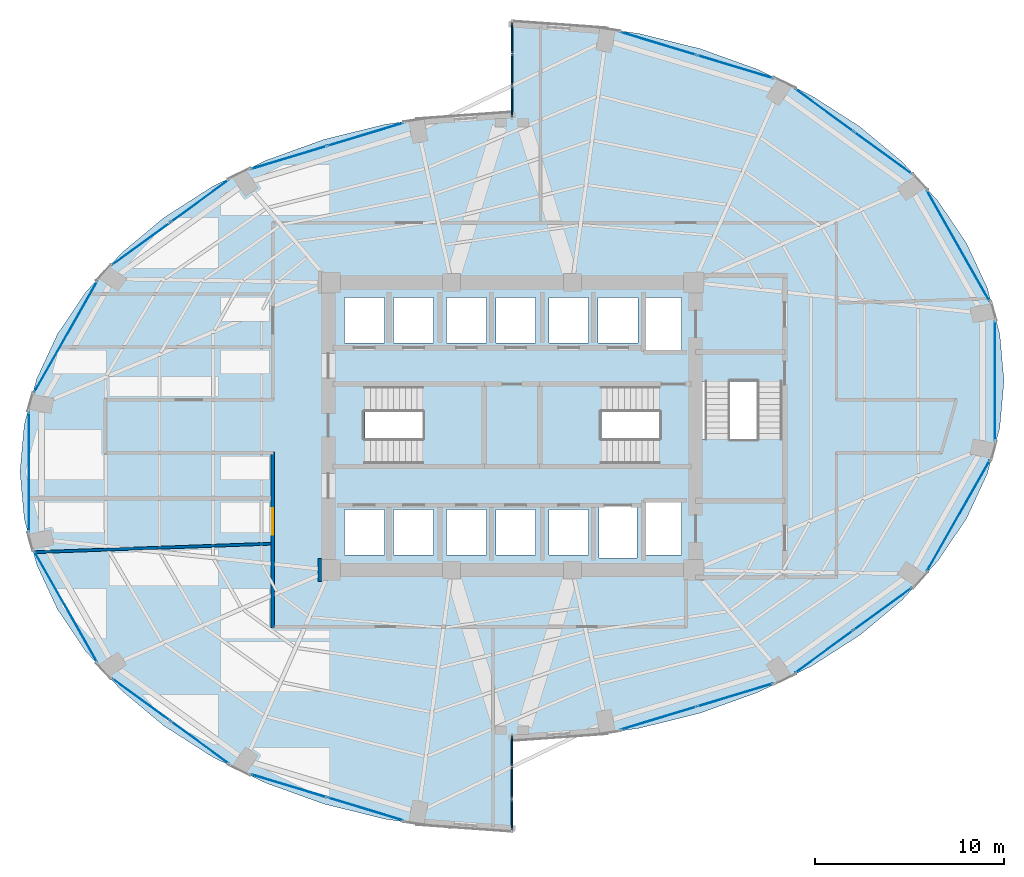
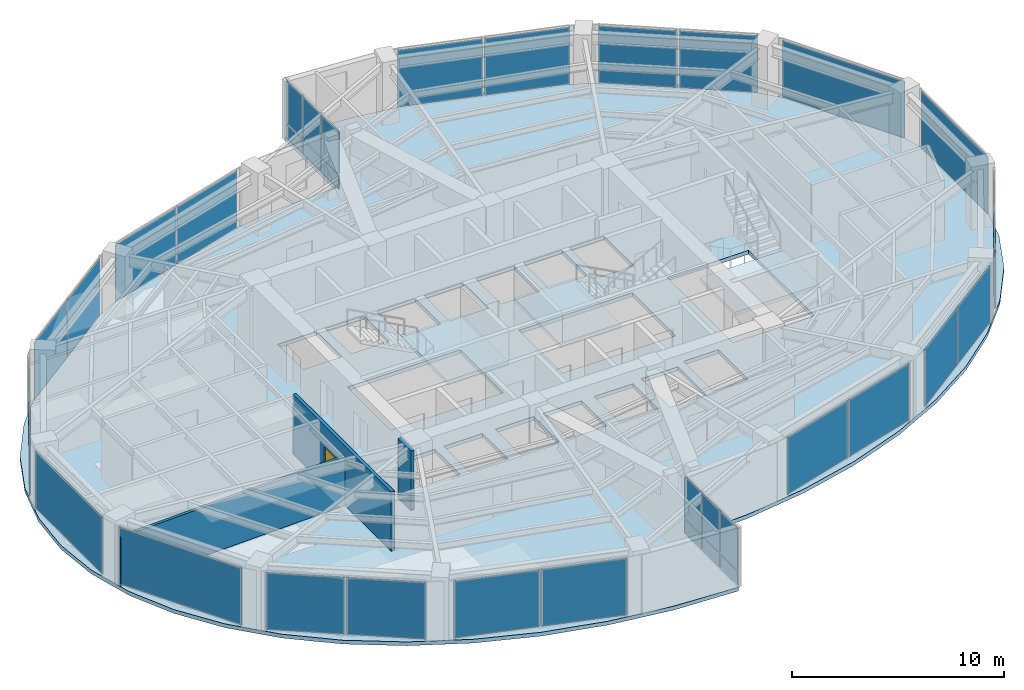
# One storey, part 19 of 24: 34 plates, 4 slabs, 3 walls, 1 door, 1 opening, 19 elements without a shape of their own.
"""IFC4 building model written with IfcOpenShell, lengths in metres."""

from ifc_helpers import new_model, si_unit, direction, frame, frame_2d, origin, origin_2d, place, context, subcontext, project, spatial, polyline, rectangle, outline, extrude, material, layer, layer_set, type_object, element, fill, aggregate, save


model = new_model("IFC4")

# Units and contexts
model_context = context("Model", 3, precision=1e-05, world=origin(), true_north=direction((0.0, 1.0)))
body_context = subcontext(model_context, "Body", "Model", "MODEL_VIEW")
ifc_project = project(units=[si_unit("LENGTHUNIT", "METRE"), si_unit("AREAUNIT", "SQUARE_METRE"), si_unit("VOLUMEUNIT", "CUBIC_METRE"), si_unit("PLANEANGLEUNIT", "RADIAN"), si_unit("MASSUNIT", "GRAM", prefix="KILO")], contexts=[model_context])

# Site, building, storey
site_placement = place(None, origin())
site = spatial("IfcSite", under=ifc_project, at=site_placement, CompositionType="ELEMENT")
building_placement = place(site_placement, origin())
building = spatial("IfcBuilding", under=site, at=building_placement, Name="Lazwardi Medical Tower", CompositionType="ELEMENT")
storey_placement = place(building_placement, frame((0.0, 0.0, 96.3359375)))
storey = spatial("IfcBuildingStorey", under=building, at=storey_placement, Name="L24", CompositionType="ELEMENT", Elevation=96.3359375)

# Curtain wall, plates
ifc_material_1 = material(Name="Anodised bronze aluminium and solar control glazing", Category="aluminium")
ifc_layer_1 = layer(ifc_material_1, 0.195068359375)
ifc_layer_set_1 = layer_set([ifc_layer_1], Name="Anodised bronze aluminium and solar control glazing")
curtain_wall_type_1 = type_object("IfcCurtainWallType", Name="CW-SYS-03", PredefinedType="NOTDEFINED", material=ifc_layer_set_1)
curtain_wall_1_placement = place(storey_placement, origin())
curtain_wall_1 = element("IfcCurtainWall", 1, at=curtain_wall_1_placement, inside=storey, type_object=curtain_wall_type_1, Name="L24 Unitised bronze curtain wall CW-03", PredefinedType="NOTDEFINED")
ifc_material_2 = material(Name="Low-e bronze solar control double glazing", Category="glass")
ifc_layer_2 = layer(ifc_material_2, 0.035888671875)
ifc_layer_set_2 = layer_set([ifc_layer_2], Name="Low-e bronze solar control double glazing")
plate_type_1 = type_object("IfcPlateType", Name="PLT-GLZ-01", PredefinedType="CURTAIN_PANEL", material=ifc_layer_set_2)
plate_1_placement = place(storey_placement, frame((43.73974609375, 12.573486328125, 0.0751953125), z_axis=(0.0, 0.0, 1.0), x_axis=(0.957216170558, 0.28937381157, 0.0)))
plate_1 = element("IfcPlate", 2, at=plate_1_placement, type_object=plate_type_1, Name="CW-03 panel 1.1", PredefinedType="CURTAIN_PANEL", context=body_context, shape_type="SweptSolid", body=[
    extrude(rectangle(XDim=4.16552734375, YDim=0.035888671875, at=origin_2d()), origin(), (0.0, 0.0, 1.0), 3.278076171875),
])
plate_2_placement = place(storey_placement, frame((47.798828125, 13.800537109375, 0.0751953125), z_axis=(0.0, 0.0, 1.0), x_axis=(0.957216170558, 0.28937381157, 0.0)))
plate_2 = element("IfcPlate", 3, at=plate_2_placement, type_object=plate_type_1, Name="CW-03 panel 2.1", PredefinedType="CURTAIN_PANEL", context=body_context, shape_type="SweptSolid", body=[
    extrude(rectangle(XDim=4.16552734375, YDim=0.035888671875, at=origin_2d()), origin(), (0.0, 0.0, 1.0), 3.278076171875),
])
aggregate(curtain_wall_1, [plate_1, plate_2])

curtain_wall_2_placement = place(storey_placement, origin())
curtain_wall_2 = element("IfcCurtainWall", 4, at=curtain_wall_2_placement, inside=storey, type_object=curtain_wall_type_1, Name="L24 Unitised bronze curtain wall CW-03", PredefinedType="NOTDEFINED")
plate_3_placement = place(storey_placement, frame((52.4990234375, 16.093017578125, 0.0751953125), z_axis=(0.0, 0.0, 1.0), x_axis=(0.807745837639, 0.589530882802, 0.0)))
plate_3 = element("IfcPlate", 5, at=plate_3_placement, type_object=plate_type_1, Name="CW-03 panel 1.1", PredefinedType="CURTAIN_PANEL", context=body_context, shape_type="SweptSolid", body=[
    extrude(rectangle(XDim=3.767578125, YDim=0.035888671875, at=origin_2d()), origin(), (0.0, 0.0, 1.0), 3.278076171875),
])
plate_4_placement = place(storey_placement, frame((55.60302734375, 18.3583984375, 0.0751953125), z_axis=(0.0, 0.0, 1.0), x_axis=(0.807745837639, 0.589530882802, 0.0)))
plate_4 = element("IfcPlate", 6, at=plate_4_placement, type_object=plate_type_1, Name="CW-03 panel 2.1", PredefinedType="CURTAIN_PANEL", context=body_context, shape_type="SweptSolid", body=[
    extrude(rectangle(XDim=3.767578125, YDim=0.035888671875, at=origin_2d()), origin(), (0.0, 0.0, 1.0), 3.278076171875),
])
aggregate(curtain_wall_2, [plate_3, plate_4])

# Curtain wall, plate
curtain_wall_3_placement = place(storey_placement, origin())
curtain_wall_3 = element("IfcCurtainWall", 7, at=curtain_wall_3_placement, inside=storey, type_object=curtain_wall_type_1, Name="L24 Unitised bronze curtain wall CW-03", PredefinedType="NOTDEFINED")
plate_5_placement = place(storey_placement, frame((59.5849609375, 23.270263671875, 0.0751953125), z_axis=(0.0, 0.0, 1.0), x_axis=(0.493603140041, 0.869687265712, 0.0)))
plate_5 = element("IfcPlate", 8, at=plate_5_placement, type_object=plate_type_1, Name="CW-03 panel 1.1", PredefinedType="CURTAIN_PANEL", context=body_context, shape_type="SweptSolid", body=[
    extrude(rectangle(XDim=6.722900390625, YDim=0.035888671875, at=origin_2d()), origin(), (0.0, 0.0, 1.0), 3.278076171875),
])
aggregate(curtain_wall_3, [plate_5])

curtain_wall_4_placement = place(storey_placement, origin())
curtain_wall_4 = element("IfcCurtainWall", 9, at=curtain_wall_4_placement, inside=storey, type_object=curtain_wall_type_1, Name="L24 Unitised bronze curtain wall CW-03", PredefinedType="NOTDEFINED")
plate_6_placement = place(storey_placement, frame((61.528076171875, 30.39990234375, 0.0751953125), z_axis=(0.0, 0.0, 1.0), x_axis=(0.0, 1.0, 0.0)))
plate_6 = element("IfcPlate", 10, at=plate_6_placement, type_object=plate_type_1, Name="CW-03 panel 1.1", PredefinedType="CURTAIN_PANEL", context=body_context, shape_type="SweptSolid", body=[
    extrude(rectangle(XDim=6.31982421875, YDim=0.035888671875, at=origin_2d()), origin(), (0.0, 0.0, 1.0), 3.278076171875),
])
aggregate(curtain_wall_4, [plate_6])

curtain_wall_5_placement = place(storey_placement, origin())
curtain_wall_5 = element("IfcCurtainWall", 11, at=curtain_wall_5_placement, inside=storey, type_object=curtain_wall_type_1, Name="L24 Unitised bronze curtain wall CW-03", PredefinedType="NOTDEFINED")
plate_7_placement = place(storey_placement, frame((59.5849609375, 37.52978515625, 0.0751953125), z_axis=(0.0, 0.0, 1.0), x_axis=(-0.493603140041, 0.869687265712, 0.0)))
plate_7 = element("IfcPlate", 12, at=plate_7_placement, type_object=plate_type_1, Name="CW-03 panel 1.1", PredefinedType="CURTAIN_PANEL", context=body_context, shape_type="SweptSolid", body=[
    extrude(rectangle(XDim=6.722900390625, YDim=0.035888671875, at=origin_2d()), origin(), (0.0, 0.0, 1.0), 3.278076171875),
])
aggregate(curtain_wall_5, [plate_7])

# Curtain wall, plates
curtain_wall_6_placement = place(storey_placement, origin())
curtain_wall_6 = element("IfcCurtainWall", 13, at=curtain_wall_6_placement, inside=storey, type_object=curtain_wall_type_1, Name="L24 Unitised bronze curtain wall CW-03", PredefinedType="NOTDEFINED")
plate_8_placement = place(storey_placement, frame((55.60302734375, 42.441650390625, 0.0751953125), z_axis=(0.0, 0.0, 1.0), x_axis=(-0.807745837639, 0.589530882802, 0.0)))
plate_8 = element("IfcPlate", 14, at=plate_8_placement, type_object=plate_type_1, Name="CW-03 panel 1.1", PredefinedType="CURTAIN_PANEL", context=body_context, shape_type="SweptSolid", body=[
    extrude(rectangle(XDim=3.767578125, YDim=0.035888671875, at=origin_2d()), origin(), (0.0, 0.0, 1.0), 3.278076171875),
])
plate_9_placement = place(storey_placement, frame((52.4990234375, 44.70703125, 0.0751953125), z_axis=(0.0, 0.0, 1.0), x_axis=(-0.807745837639, 0.589530882802, 0.0)))
plate_9 = element("IfcPlate", 15, at=plate_9_placement, type_object=plate_type_1, Name="CW-03 panel 2.1", PredefinedType="CURTAIN_PANEL", context=body_context, shape_type="SweptSolid", body=[
    extrude(rectangle(XDim=3.767578125, YDim=0.035888671875, at=origin_2d()), origin(), (0.0, 0.0, 1.0), 3.278076171875),
])
aggregate(curtain_wall_6, [plate_8, plate_9])

curtain_wall_7_placement = place(storey_placement, origin())
curtain_wall_7 = element("IfcCurtainWall", 16, at=curtain_wall_7_placement, inside=storey, type_object=curtain_wall_type_1, Name="L24 Unitised bronze curtain wall CW-03", PredefinedType="NOTDEFINED")
plate_10_placement = place(storey_placement, frame((47.798828125, 46.99951171875, 0.0751953125), z_axis=(0.0, 0.0, 1.0), x_axis=(-0.957216170558, 0.28937381157, 0.0)))
plate_10 = element("IfcPlate", 17, at=plate_10_placement, type_object=plate_type_1, Name="CW-03 panel 1.1", PredefinedType="CURTAIN_PANEL", context=body_context, shape_type="SweptSolid", body=[
    extrude(rectangle(XDim=4.16552734375, YDim=0.035888671875, at=origin_2d()), origin(), (0.0, 0.0, 1.0), 3.278076171875),
])
plate_11_placement = place(storey_placement, frame((43.73974609375, 48.2265625, 0.0751953125), z_axis=(0.0, 0.0, 1.0), x_axis=(-0.957216170558, 0.28937381157, 0.0)))
plate_11 = element("IfcPlate", 18, at=plate_11_placement, type_object=plate_type_1, Name="CW-03 panel 2.1", PredefinedType="CURTAIN_PANEL", context=body_context, shape_type="SweptSolid", body=[
    extrude(rectangle(XDim=4.16552734375, YDim=0.035888671875, at=origin_2d()), origin(), (0.0, 0.0, 1.0), 3.278076171875),
])
aggregate(curtain_wall_7, [plate_10, plate_11])

curtain_wall_8_placement = place(storey_placement, origin())
curtain_wall_8 = element("IfcCurtainWall", 19, at=curtain_wall_8_placement, inside=storey, type_object=curtain_wall_type_1, Name="L24 Unitised bronze curtain wall CW-03", PredefinedType="NOTDEFINED")
plate_12_placement = place(storey_placement, frame((28.26025390625, 43.426513671875, 0.0751953125), z_axis=(0.0, 0.0, 1.0), x_axis=(-0.957216170558, -0.28937381157, 0.0)))
plate_12 = element("IfcPlate", 20, at=plate_12_placement, type_object=plate_type_1, Name="CW-03 panel 1.1", PredefinedType="CURTAIN_PANEL", context=body_context, shape_type="SweptSolid", body=[
    extrude(rectangle(XDim=4.16552734375, YDim=0.035888671875, at=origin_2d()), origin(), (0.0, 0.0, 1.0), 3.278076171875),
])
plate_13_placement = place(storey_placement, frame((24.201171875, 42.199462890625, 0.0751953125), z_axis=(0.0, 0.0, 1.0), x_axis=(-0.957216170558, -0.28937381157, 0.0)))
plate_13 = element("IfcPlate", 21, at=plate_13_placement, type_object=plate_type_1, Name="CW-03 panel 2.1", PredefinedType="CURTAIN_PANEL", context=body_context, shape_type="SweptSolid", body=[
    extrude(rectangle(XDim=4.16552734375, YDim=0.035888671875, at=origin_2d()), origin(), (0.0, 0.0, 1.0), 3.278076171875),
])
aggregate(curtain_wall_8, [plate_12, plate_13])

curtain_wall_9_placement = place(storey_placement, origin())
curtain_wall_9 = element("IfcCurtainWall", 22, at=curtain_wall_9_placement, inside=storey, type_object=curtain_wall_type_1, Name="L24 Unitised bronze curtain wall CW-03", PredefinedType="NOTDEFINED")
plate_14_placement = place(storey_placement, frame((19.5009765625, 39.906982421875, 0.0751953125), z_axis=(0.0, 0.0, 1.0), x_axis=(-0.807745837639, -0.589530882802, 0.0)))
plate_14 = element("IfcPlate", 23, at=plate_14_placement, type_object=plate_type_1, Name="CW-03 panel 1.1", PredefinedType="CURTAIN_PANEL", context=body_context, shape_type="SweptSolid", body=[
    extrude(rectangle(XDim=3.767578125, YDim=0.035888671875, at=origin_2d()), origin(), (0.0, 0.0, 1.0), 3.278076171875),
])
plate_15_placement = place(storey_placement, frame((16.39697265625, 37.6416015625, 0.0751953125), z_axis=(0.0, 0.0, 1.0), x_axis=(-0.807745837639, -0.589530882802, 0.0)))
plate_15 = element("IfcPlate", 24, at=plate_15_placement, type_object=plate_type_1, Name="CW-03 panel 2.1", PredefinedType="CURTAIN_PANEL", context=body_context, shape_type="SweptSolid", body=[
    extrude(rectangle(XDim=3.767578125, YDim=0.035888671875, at=origin_2d()), origin(), (0.0, 0.0, 1.0), 3.278076171875),
])
aggregate(curtain_wall_9, [plate_14, plate_15])

# Curtain wall, plate
curtain_wall_10_placement = place(storey_placement, origin())
curtain_wall_10 = element("IfcCurtainWall", 25, at=curtain_wall_10_placement, inside=storey, type_object=curtain_wall_type_1, Name="L24 Unitised bronze curtain wall CW-03", PredefinedType="NOTDEFINED")
plate_16_placement = place(storey_placement, frame((12.4150390625, 32.729736328125, 0.0751953125), z_axis=(0.0, 0.0, 1.0), x_axis=(-0.493603140041, -0.869687265712, 0.0)))
plate_16 = element("IfcPlate", 26, at=plate_16_placement, type_object=plate_type_1, Name="CW-03 panel 1.1", PredefinedType="CURTAIN_PANEL", context=body_context, shape_type="SweptSolid", body=[
    extrude(rectangle(XDim=6.722900390625, YDim=0.035888671875, at=origin_2d()), origin(), (0.0, 0.0, 1.0), 3.278076171875),
])
aggregate(curtain_wall_10, [plate_16])

curtain_wall_11_placement = place(storey_placement, origin())
curtain_wall_11 = element("IfcCurtainWall", 27, at=curtain_wall_11_placement, inside=storey, type_object=curtain_wall_type_1, Name="L24 Unitised bronze curtain wall CW-03", PredefinedType="NOTDEFINED")
plate_17_placement = place(storey_placement, frame((10.471923828125, 25.60009765625, 0.0751953125), z_axis=(0.0, 0.0, 1.0), x_axis=(0.0, -1.0, 0.0)))
plate_17 = element("IfcPlate", 28, at=plate_17_placement, type_object=plate_type_1, Name="CW-03 panel 1.1", PredefinedType="CURTAIN_PANEL", context=body_context, shape_type="SweptSolid", body=[
    extrude(rectangle(XDim=6.31982421875, YDim=0.035888671875, at=origin_2d()), origin(), (0.0, 0.0, 1.0), 3.278076171875),
])
aggregate(curtain_wall_11, [plate_17])

curtain_wall_12_placement = place(storey_placement, origin())
curtain_wall_12 = element("IfcCurtainWall", 29, at=curtain_wall_12_placement, inside=storey, type_object=curtain_wall_type_1, Name="L24 Unitised bronze curtain wall CW-03", PredefinedType="NOTDEFINED")
plate_18_placement = place(storey_placement, frame((12.4150390625, 18.47021484375, 0.0751953125), z_axis=(0.0, 0.0, 1.0), x_axis=(0.493603140041, -0.869687265712, 0.0)))
plate_18 = element("IfcPlate", 30, at=plate_18_placement, type_object=plate_type_1, Name="CW-03 panel 1.1", PredefinedType="CURTAIN_PANEL", context=body_context, shape_type="SweptSolid", body=[
    extrude(rectangle(XDim=6.722900390625, YDim=0.035888671875, at=origin_2d()), origin(), (0.0, 0.0, 1.0), 3.278076171875),
])
aggregate(curtain_wall_12, [plate_18])

# Curtain wall, plates
curtain_wall_13_placement = place(storey_placement, origin())
curtain_wall_13 = element("IfcCurtainWall", 31, at=curtain_wall_13_placement, inside=storey, type_object=curtain_wall_type_1, Name="L24 Unitised bronze curtain wall CW-03", PredefinedType="NOTDEFINED")
plate_19_placement = place(storey_placement, frame((16.39697265625, 13.558349609375, 0.0751953125), z_axis=(0.0, 0.0, 1.0), x_axis=(0.807745837639, -0.589530882802, 0.0)))
plate_19 = element("IfcPlate", 32, at=plate_19_placement, type_object=plate_type_1, Name="CW-03 panel 1.1", PredefinedType="CURTAIN_PANEL", context=body_context, shape_type="SweptSolid", body=[
    extrude(rectangle(XDim=3.767578125, YDim=0.035888671875, at=origin_2d()), origin(), (0.0, 0.0, 1.0), 3.278076171875),
])
plate_20_placement = place(storey_placement, frame((19.5009765625, 11.29296875, 0.0751953125), z_axis=(0.0, 0.0, 1.0), x_axis=(0.807745837639, -0.589530882802, 0.0)))
plate_20 = element("IfcPlate", 33, at=plate_20_placement, type_object=plate_type_1, Name="CW-03 panel 2.1", PredefinedType="CURTAIN_PANEL", context=body_context, shape_type="SweptSolid", body=[
    extrude(rectangle(XDim=3.767578125, YDim=0.035888671875, at=origin_2d()), origin(), (0.0, 0.0, 1.0), 3.278076171875),
])
aggregate(curtain_wall_13, [plate_19, plate_20])

curtain_wall_14_placement = place(storey_placement, origin())
curtain_wall_14 = element("IfcCurtainWall", 34, at=curtain_wall_14_placement, inside=storey, type_object=curtain_wall_type_1, Name="L24 Unitised bronze curtain wall CW-03", PredefinedType="NOTDEFINED")
plate_21_placement = place(storey_placement, frame((24.201171875, 9.00048828125, 0.0751953125), z_axis=(0.0, 0.0, 1.0), x_axis=(0.957216170558, -0.28937381157, 0.0)))
plate_21 = element("IfcPlate", 35, at=plate_21_placement, type_object=plate_type_1, Name="CW-03 panel 1.1", PredefinedType="CURTAIN_PANEL", context=body_context, shape_type="SweptSolid", body=[
    extrude(rectangle(XDim=4.16552734375, YDim=0.035888671875, at=origin_2d()), origin(), (0.0, 0.0, 1.0), 3.278076171875),
])
plate_22_placement = place(storey_placement, frame((28.26025390625, 7.7734375, 0.0751953125), z_axis=(0.0, 0.0, 1.0), x_axis=(0.957216170558, -0.28937381157, 0.0)))
plate_22 = element("IfcPlate", 36, at=plate_22_placement, type_object=plate_type_1, Name="CW-03 panel 2.1", PredefinedType="CURTAIN_PANEL", context=body_context, shape_type="SweptSolid", body=[
    extrude(rectangle(XDim=4.16552734375, YDim=0.035888671875, at=origin_2d()), origin(), (0.0, 0.0, 1.0), 3.278076171875),
])
aggregate(curtain_wall_14, [plate_21, plate_22])

ifc_layer_3 = layer(ifc_material_1, 0.2099609375)
ifc_layer_set_3 = layer_set([ifc_layer_3], Name="Anodised bronze aluminium and solar control glazing")
curtain_wall_type_2 = type_object("IfcCurtainWallType", Name="CW-SYS-06", PredefinedType="NOTDEFINED", material=ifc_layer_set_3)
curtain_wall_15_placement = place(storey_placement, origin())
curtain_wall_15 = element("IfcCurtainWall", 37, at=curtain_wall_15_placement, inside=storey, type_object=curtain_wall_type_2, Name="L24 Unitised bronze curtain wall CW-06", PredefinedType="NOTDEFINED")
ifc_material_3 = material(Name="Turquoise glazed ceramic insulated panel", Category="glass")
ifc_layer_4 = layer(ifc_material_3, 0.053955078125)
ifc_layer_set_4 = layer_set([ifc_layer_4], Name="Turquoise glazed ceramic insulated panel")
plate_type_2 = type_object("IfcPlateType", Name="PLT-TRQ-01", PredefinedType="CURTAIN_PANEL", material=ifc_layer_set_4)
plate_23_placement = place(storey_placement, frame((36.0, 48.52783203125, 0.074951171875), z_axis=(0.0, 0.0, 1.0), x_axis=(0.0, -1.0, 0.0)))
plate_23 = element("IfcPlate", 38, at=plate_23_placement, type_object=plate_type_2, Name="CW-06 panel 1.1", PredefinedType="CURTAIN_PANEL", context=body_context, shape_type="SweptSolid", body=[
    extrude(rectangle(XDim=1.59423828125, YDim=0.053955078125, at=origin_2d()), origin(), (0.0, 0.0, 1.0), 0.78759765625),
])
plate_24_placement = place(storey_placement, frame((36.0, 48.52783203125, 0.9375), z_axis=(0.0, 0.0, 1.0), x_axis=(0.0, -1.0, 0.0)))
plate_24 = element("IfcPlate", 39, at=plate_24_placement, type_object=plate_type_2, Name="CW-06 panel 1.2", PredefinedType="CURTAIN_PANEL", context=body_context, shape_type="SweptSolid", body=[
    extrude(rectangle(XDim=1.59423828125, YDim=0.053955078125, at=origin_2d()), origin(), (0.0, 0.0, 1.0), 2.41552734375),
])
plate_25_placement = place(storey_placement, frame((36.0, 46.840087890625, 0.074951171875), z_axis=(0.0, 0.0, 1.0), x_axis=(0.0, -1.0, 0.0)))
plate_25 = element("IfcPlate", 40, at=plate_25_placement, type_object=plate_type_2, Name="CW-06 panel 2.1", PredefinedType="CURTAIN_PANEL", context=body_context, shape_type="SweptSolid", body=[
    extrude(rectangle(XDim=1.631591796875, YDim=0.053955078125, at=origin_2d()), origin(), (0.0, 0.0, 1.0), 0.78759765625),
])
plate_26_placement = place(storey_placement, frame((36.0, 46.840087890625, 0.9375), z_axis=(0.0, 0.0, 1.0), x_axis=(0.0, -1.0, 0.0)))
plate_26 = element("IfcPlate", 41, at=plate_26_placement, type_object=plate_type_2, Name="CW-06 panel 2.2", PredefinedType="CURTAIN_PANEL", context=body_context, shape_type="SweptSolid", body=[
    extrude(rectangle(XDim=1.631591796875, YDim=0.053955078125, at=origin_2d()), origin(), (0.0, 0.0, 1.0), 2.41552734375),
])
plate_27_placement = place(storey_placement, frame((36.0, 45.152099609375, 0.074951171875), z_axis=(0.0, 0.0, 1.0), x_axis=(0.0, -1.0, 0.0)))
plate_27 = element("IfcPlate", 42, at=plate_27_placement, type_object=plate_type_2, Name="CW-06 panel 3.1", PredefinedType="CURTAIN_PANEL", context=body_context, shape_type="SweptSolid", body=[
    extrude(rectangle(XDim=1.59423828125, YDim=0.053955078125, at=origin_2d()), origin(), (0.0, 0.0, 1.0), 0.78759765625),
])
plate_28_placement = place(storey_placement, frame((36.0, 45.152099609375, 0.9375), z_axis=(0.0, 0.0, 1.0), x_axis=(0.0, -1.0, 0.0)))
plate_28 = element("IfcPlate", 43, at=plate_28_placement, type_object=plate_type_2, Name="CW-06 panel 3.2", PredefinedType="CURTAIN_PANEL", context=body_context, shape_type="SweptSolid", body=[
    extrude(rectangle(XDim=1.59423828125, YDim=0.053955078125, at=origin_2d()), origin(), (0.0, 0.0, 1.0), 2.41552734375),
])
aggregate(curtain_wall_15, [plate_23, plate_24, plate_25, plate_26, plate_27, plate_28])

curtain_wall_16_placement = place(storey_placement, origin())
curtain_wall_16 = element("IfcCurtainWall", 44, at=curtain_wall_16_placement, inside=storey, type_object=curtain_wall_type_2, Name="L24 Unitised bronze curtain wall CW-06", PredefinedType="NOTDEFINED")
plate_29_placement = place(storey_placement, frame((36.0, 7.47216796875, 0.074951171875), z_axis=(0.0, 0.0, 1.0), x_axis=(0.0, 1.0, 0.0)))
plate_29 = element("IfcPlate", 45, at=plate_29_placement, type_object=plate_type_2, Name="CW-06 panel 1.1", PredefinedType="CURTAIN_PANEL", context=body_context, shape_type="SweptSolid", body=[
    extrude(rectangle(XDim=1.59423828125, YDim=0.053955078125, at=origin_2d()), origin(), (0.0, 0.0, 1.0), 0.78759765625),
])
plate_30_placement = place(storey_placement, frame((36.0, 7.47216796875, 0.9375), z_axis=(0.0, 0.0, 1.0), x_axis=(0.0, 1.0, 0.0)))
plate_30 = element("IfcPlate", 46, at=plate_30_placement, type_object=plate_type_2, Name="CW-06 panel 1.2", PredefinedType="CURTAIN_PANEL", context=body_context, shape_type="SweptSolid", body=[
    extrude(rectangle(XDim=1.59423828125, YDim=0.053955078125, at=origin_2d()), origin(), (0.0, 0.0, 1.0), 2.41552734375),
])
plate_31_placement = place(storey_placement, frame((36.0, 9.159912109375, 0.074951171875), z_axis=(0.0, 0.0, 1.0), x_axis=(0.0, 1.0, 0.0)))
plate_31 = element("IfcPlate", 47, at=plate_31_placement, type_object=plate_type_2, Name="CW-06 panel 2.1", PredefinedType="CURTAIN_PANEL", context=body_context, shape_type="SweptSolid", body=[
    extrude(rectangle(XDim=1.631591796875, YDim=0.053955078125, at=origin_2d()), origin(), (0.0, 0.0, 1.0), 0.78759765625),
])
plate_32_placement = place(storey_placement, frame((36.0, 9.159912109375, 0.9375), z_axis=(0.0, 0.0, 1.0), x_axis=(0.0, 1.0, 0.0)))
plate_32 = element("IfcPlate", 48, at=plate_32_placement, type_object=plate_type_2, Name="CW-06 panel 2.2", PredefinedType="CURTAIN_PANEL", context=body_context, shape_type="SweptSolid", body=[
    extrude(rectangle(XDim=1.631591796875, YDim=0.053955078125, at=origin_2d()), origin(), (0.0, 0.0, 1.0), 2.41552734375),
])
plate_33_placement = place(storey_placement, frame((36.0, 10.847900390625, 0.074951171875), z_axis=(0.0, 0.0, 1.0), x_axis=(0.0, 1.0, 0.0)))
plate_33 = element("IfcPlate", 49, at=plate_33_placement, type_object=plate_type_2, Name="CW-06 panel 3.1", PredefinedType="CURTAIN_PANEL", context=body_context, shape_type="SweptSolid", body=[
    extrude(rectangle(XDim=1.59423828125, YDim=0.053955078125, at=origin_2d()), origin(), (0.0, 0.0, 1.0), 0.78759765625),
])
plate_34_placement = place(storey_placement, frame((36.0, 10.847900390625, 0.9375), z_axis=(0.0, 0.0, 1.0), x_axis=(0.0, 1.0, 0.0)))
plate_34 = element("IfcPlate", 50, at=plate_34_placement, type_object=plate_type_2, Name="CW-06 panel 3.2", PredefinedType="CURTAIN_PANEL", context=body_context, shape_type="SweptSolid", body=[
    extrude(rectangle(XDim=1.59423828125, YDim=0.053955078125, at=origin_2d()), origin(), (0.0, 0.0, 1.0), 2.41552734375),
])
aggregate(curtain_wall_16, [plate_29, plate_30, plate_31, plate_32, plate_33, plate_34])

# Stair, slab
ifc_material_4 = material(Name="Concrete C45/55", Category="concrete")
stair_type = type_object("IfcStairType", Name="STR-WRD", PredefinedType="HALF_TURN_STAIR", material=ifc_material_4)
stair_1_placement = place(storey_placement, origin())
stair_1 = element("IfcStair", 51, at=stair_1_placement, inside=storey, type_object=stair_type, Name="L24 Protected Exit Stair ST1", PredefinedType="HALF_TURN_STAIR")
ifc_layer_5 = layer(ifc_material_4, 0.199951171875)
ifc_layer_set_5 = layer_set([ifc_layer_5], Name="Concrete C45/55")
slab_type_1 = type_object("IfcSlabType", Name="SLB-LND-190", PredefinedType="LANDING", material=ifc_layer_set_5)
slab_1_placement = place(storey_placement, frame((0.0, 0.0, 1.6240234375)))
slab_1 = element("IfcSlab", 52, at=slab_1_placement, type_object=slab_type_1, Name="ST1 landing 1", PredefinedType="LANDING", context=body_context, shape_type="SweptSolid", body=[
    extrude(outline(polyline([(31.27490234375, 25.840087890625), (34.580078125, 25.840087890625), (34.580078125, 30.280029296875), (31.27490234375, 30.280029296875), (31.27490234375, 25.840087890625)])), origin(), (0.0, 0.0, 1.0), 0.199951171875),
])
aggregate(stair_1, [slab_1])

stair_2_placement = place(storey_placement, origin())
stair_2 = element("IfcStair", 53, at=stair_2_placement, inside=storey, type_object=stair_type, Name="L24 Protected Exit Stair ST2", PredefinedType="HALF_TURN_STAIR")
slab_2_placement = place(storey_placement, frame((0.0, 0.0, 1.6240234375)))
slab_2 = element("IfcSlab", 54, at=slab_2_placement, type_object=slab_type_1, Name="ST2 landing 1", PredefinedType="LANDING", context=body_context, shape_type="SweptSolid", body=[
    extrude(outline(polyline([(40.72509765625, 30.280029296875), (37.419921875, 30.280029296875), (37.419921875, 25.840087890625), (40.72509765625, 25.840087890625), (40.72509765625, 30.280029296875)])), origin(), (0.0, 0.0, 1.0), 0.199951171875),
])
aggregate(stair_2, [slab_2])

stair_3_placement = place(storey_placement, origin())
stair_3 = element("IfcStair", 55, at=stair_3_placement, inside=storey, type_object=stair_type, Name="L24 Protected Exit Stair ST3", PredefinedType="HALF_TURN_STAIR")
slab_3_placement = place(storey_placement, frame((0.0, 0.0, 1.6240234375)))
slab_3 = element("IfcSlab", 56, at=slab_3_placement, type_object=slab_type_1, Name="ST3 landing 1", PredefinedType="LANDING", context=body_context, shape_type="SweptSolid", body=[
    extrude(outline(polyline([(45.860107421875, 27.324951171875), (45.860107421875, 24.02001953125), (50.4599609375, 24.02001953125), (50.4599609375, 27.324951171875), (45.860107421875, 27.324951171875)])), origin(), (0.0, 0.0, 1.0), 0.199951171875),
])
aggregate(stair_3, [slab_3])

# Slab
ifc_material_5 = material(Name="Concrete C50/60", Category="concrete")
ifc_layer_6 = layer(ifc_material_5, 0.219970703125)
ifc_layer_set_6 = layer_set([ifc_layer_6], Name="Concrete C50/60")
slab_type_2 = type_object("IfcSlabType", Name="SLB-WRD-220", PredefinedType="FLOOR", material=ifc_layer_set_6)
slab_4_placement = place(storey_placement, frame((0.0, 0.0, -0.219970703125)))
element("IfcSlab", 57, at=slab_4_placement, inside=storey, type_object=slab_type_2, Name="Structural floor slab SF-03 L24", PredefinedType="FLOOR", context=body_context, shape_type="SweptSolid", body=[
    extrude(outline(polyline([(11.97900390625, 32.87109375), (10.885986328125, 30.517578125), (10.222412109375, 28.080078125), (10.0, 25.60009765625), (10.222412109375, 23.1201171875), (10.885986328125, 20.682373046875), (11.97900390625, 18.3291015625), (13.4833984375, 16.10009765625), (15.372802734375, 14.033447265625), (17.615234375, 12.1650390625), (20.172119140625, 10.5263671875), (23.0, 9.1455078125), (26.05029296875, 8.04638671875), (29.270751953125, 7.247314453125), (32.606201171875, 6.762451171875), (36.0, 6.60009765625), (36.0, 11.39990234375), (39.393798828125, 11.5625), (42.729248046875, 12.04736328125), (45.94970703125, 12.84619140625), (49.0, 13.945556640625), (51.827880859375, 15.326416015625), (54.384765625, 16.965087890625), (56.627197265625, 18.83349609375), (58.5166015625, 20.89990234375), (60.02099609375, 23.12890625), (61.114013671875, 25.482421875), (61.777587890625, 27.919921875), (62.0, 30.39990234375), (61.777587890625, 32.8798828125), (61.114013671875, 35.317626953125), (60.02099609375, 37.6708984375), (58.5166015625, 39.89990234375), (56.627197265625, 41.966552734375), (54.384765625, 43.8349609375), (51.827880859375, 45.4736328125), (49.0, 46.8544921875), (45.94970703125, 47.95361328125), (42.729248046875, 48.752685546875), (39.393798828125, 49.237548828125), (36.0, 49.39990234375), (36.0, 44.60009765625), (32.606201171875, 44.4375), (29.270751953125, 43.95263671875), (26.05029296875, 43.15380859375), (23.0, 42.054443359375), (20.172119140625, 40.673583984375), (17.615234375, 39.034912109375), (15.372802734375, 37.16650390625), (13.4833984375, 35.10009765625), (11.97900390625, 32.87109375)]), holes=[polyline([(28.22509765625, 26.02001953125), (28.22509765625, 30.10009765625), (34.39990234375, 30.10009765625), (34.39990234375, 26.02001953125), (28.22509765625, 26.02001953125)]), polyline([(37.60009765625, 30.10009765625), (43.77490234375, 30.10009765625), (43.77490234375, 26.02001953125), (37.60009765625, 26.02001953125), (37.60009765625, 30.10009765625)]), polyline([(50.280029296875, 30.375), (50.280029296875, 24.179931640625), (45.840087890625, 24.179931640625), (45.840087890625, 30.375), (50.280029296875, 30.375)]), polyline([(29.25, 32.39990234375), (27.14990234375, 32.39990234375), (27.14990234375, 34.800048828125), (29.25, 34.800048828125), (29.25, 32.39990234375)]), polyline([(29.75, 32.39990234375), (29.75, 34.800048828125), (31.85009765625, 34.800048828125), (31.85009765625, 32.39990234375), (29.75, 32.39990234375)]), polyline([(27.14990234375, 23.60009765625), (29.25, 23.60009765625), (29.25, 21.199951171875), (27.14990234375, 21.199951171875), (27.14990234375, 23.60009765625)]), polyline([(31.85009765625, 23.60009765625), (31.85009765625, 21.199951171875), (29.75, 21.199951171875), (29.75, 23.60009765625), (31.85009765625, 23.60009765625)]), polyline([(34.64990234375, 32.39990234375), (32.550048828125, 32.39990234375), (32.550048828125, 34.800048828125), (34.64990234375, 34.800048828125), (34.64990234375, 32.39990234375)]), polyline([(35.14990234375, 32.39990234375), (35.14990234375, 34.800048828125), (37.25, 34.800048828125), (37.25, 32.39990234375), (35.14990234375, 32.39990234375)]), polyline([(32.550048828125, 23.60009765625), (34.64990234375, 23.60009765625), (34.64990234375, 21.199951171875), (32.550048828125, 21.199951171875), (32.550048828125, 23.60009765625)]), polyline([(37.25, 23.60009765625), (37.25, 21.199951171875), (35.14990234375, 21.199951171875), (35.14990234375, 23.60009765625), (37.25, 23.60009765625)]), polyline([(40.050048828125, 32.39990234375), (37.949951171875, 32.39990234375), (37.949951171875, 34.800048828125), (40.050048828125, 34.800048828125), (40.050048828125, 32.39990234375)]), polyline([(40.550048828125, 32.39990234375), (40.550048828125, 34.800048828125), (42.64990234375, 34.800048828125), (42.64990234375, 32.39990234375), (40.550048828125, 32.39990234375)]), polyline([(37.949951171875, 23.60009765625), (40.050048828125, 23.60009765625), (40.050048828125, 21.199951171875), (37.949951171875, 21.199951171875), (37.949951171875, 23.60009765625)]), polyline([(44.949951171875, 34.800048828125), (44.949951171875, 32.0), (43.050048828125, 32.0), (43.050048828125, 34.800048828125), (44.949951171875, 34.800048828125)]), polyline([(44.949951171875, 21.199951171875), (43.050048828125, 21.199951171875), (43.050048828125, 24.0), (44.949951171875, 24.0), (44.949951171875, 21.199951171875)]), polyline([(40.60009765625, 21.050048828125), (40.60009765625, 23.75), (42.60009765625, 23.75), (42.60009765625, 21.050048828125), (40.60009765625, 21.050048828125)])]), origin(), (0.0, 0.0, 1.0), 0.219970703125),
])

# Wall
ifc_material_6 = material(Name="Fire-rated gypsum board on steel stud", Category="steel")
ifc_layer_7 = layer(ifc_material_6, 0.179931640625)
ifc_layer_set_7 = layer_set([ifc_layer_7], Name="Fire-rated gypsum board on steel stud")
wall_type_1 = type_object("IfcWallType", Name="WL-COR-180", PredefinedType="PARTITIONING", material=ifc_layer_set_7)
wall_1_placement = place(storey_placement, frame((25.830078125, 21.010009765625, 0.0), z_axis=(0.0, 0.0, 1.0), x_axis=(0.0, -1.0, 0.0)))
element("IfcWall", 58, at=wall_1_placement, inside=storey, type_object=wall_type_1, Name="L24 Corridor partition 12", PredefinedType="PARTITIONING", context=body_context, shape_type="SweptSolid", body=[
    extrude(rectangle(XDim=1.219970703125, YDim=0.179931640625, at=frame_2d((0.60986328125, 0.0))), origin(), (0.0, 0.0, 1.0), 3.427978515625),
])

# Wall, opening, door
wall_2_placement = place(storey_placement, frame((23.35009765625, 17.360107421875, 0.0), z_axis=(0.0, 0.0, 1.0), x_axis=(0.0, 1.0, 0.0)))
wall_2 = element("IfcWall", 59, at=wall_2_placement, inside=storey, type_object=wall_type_1, Name="L24 Corridor partition 15", PredefinedType="PARTITIONING", context=body_context, shape_type="SweptSolid", body=[
    extrude(rectangle(XDim=9.27978515625, YDim=0.179931640625, at=frame_2d((4.639892578125, 0.0))), origin(), (0.0, 0.0, 1.0), 3.427978515625),
])
opening_placement = place(wall_2_placement, frame((4.9208984375, 0.0, 0.0)))
opening = element("IfcOpeningElement", 60, at=opening_placement, cuts=wall_2, Name="Opening D-L24-006", PredefinedType="OPENING", context=body_context, shape_type="SweptSolid", body=[
    extrude(rectangle(XDim=1.39990234375, YDim=2.199951171875, at=frame_2d((0.699951171875, 1.10009765625))), frame((0.0, 0.099853515625, 0.0), z_axis=(0.0, -1.0, 0.0), x_axis=(1.0, 0.0, 0.0)), (0.0, 0.0, 1.0), 0.199951171875),
])
ifc_material_7 = material(Name="Anti-microbial laminate hospital leaf")
door_type = type_object("IfcDoorType", Name="DR-BED-1400", OperationType="NOTDEFINED", PredefinedType="DOOR", material=ifc_material_7)
door_placement = place(opening_placement, origin())
door = element("IfcDoor", 61, at=door_placement, inside=storey, type_object=door_type, Name="L24 Inpatient Ward Door 01", OperationType="SINGLE_SWING_RIGHT", OverallHeight=2.199951171875, OverallWidth=1.39990234375, PredefinedType="DOOR", context=body_context, shape_type="SweptSolid", body=[
    extrude(rectangle(XDim=1.39990234375, YDim=2.199951171875, at=frame_2d((0.699951171875, 1.10009765625))), frame((0.0, 0.02490234375, 0.0), z_axis=(0.0, -1.0, 0.0), x_axis=(1.0, 0.0, 0.0)), (0.0, 0.0, 1.0), 0.050048828125),
])
fill(opening, door)

# Wall
ifc_material_8 = material(Name="Acoustic gypsum board partition")
ifc_layer_8 = layer(ifc_material_8, 0.14990234375)
ifc_layer_set_8 = layer_set([ifc_layer_8], Name="Acoustic gypsum board partition")
wall_type_2 = type_object("IfcWallType", Name="WL-WRD-150", PredefinedType="PARTITIONING", material=ifc_layer_set_8)
wall_3_placement = place(storey_placement, frame((10.774169921875, 21.34619140625, 0.0), z_axis=(0.0, 0.0, 1.0), x_axis=(0.999347780952, 0.036111116092, 0.0)))
element("IfcWall", 62, at=wall_3_placement, inside=storey, type_object=wall_type_2, Name="L24 Room partition 1", PredefinedType="PARTITIONING", context=body_context, shape_type="SweptSolid", body=[
    extrude(rectangle(XDim=12.493896484375, YDim=0.14990234375, at=frame_2d((6.2470703125, 0.0))), origin(), (0.0, 0.0, 1.0), 2.81298828125),
])

save(model, "model.ifc")
